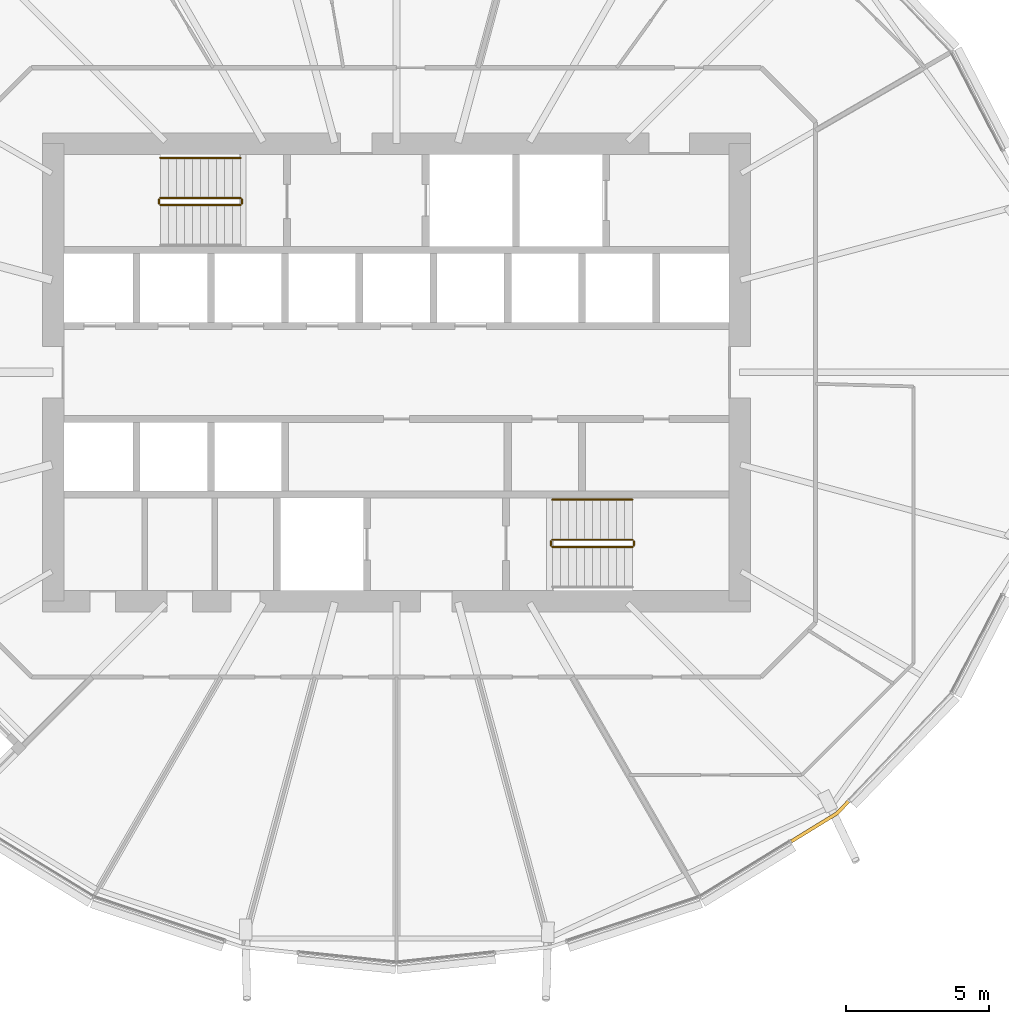
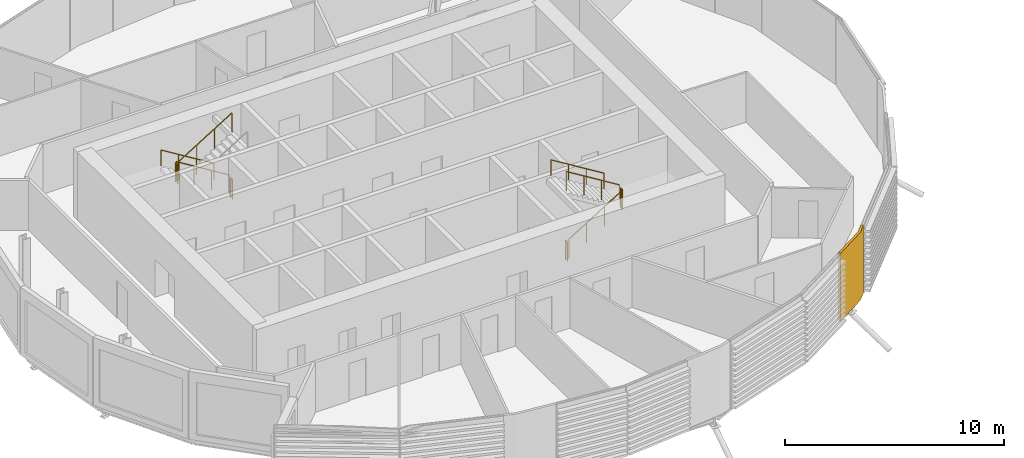
# One storey, part 34 of 38: 10 railings, 1 covering.
"""IFC4 building model written with IfcOpenShell, lengths in metres."""

from ifc_helpers import new_model, si_unit, direction, frame, origin, origin_2d, place, context, subcontext, project, spatial, polyline, circle, outline, extrude, material, layer, layer_set, type_object, element, save


model = new_model("IFC4")

# Units and contexts
model_context = context("Model", 3, precision=1e-05, world=origin(), true_north=direction((0.0, 1.0)))
body_context = subcontext(model_context, "Body", "Model", "MODEL_VIEW")
ifc_project = project(units=[si_unit("LENGTHUNIT", "METRE"), si_unit("AREAUNIT", "SQUARE_METRE"), si_unit("VOLUMEUNIT", "CUBIC_METRE"), si_unit("PLANEANGLEUNIT", "RADIAN"), si_unit("MASSUNIT", "GRAM", prefix="KILO")], contexts=[model_context])

# Site, building, storey
site_placement = place(None, origin())
site = spatial("IfcSite", under=ifc_project, at=site_placement, CompositionType="ELEMENT")
building_placement = place(site_placement, origin())
building = spatial("IfcBuilding", under=site, at=building_placement, Name="Rimbun Link Towers", CompositionType="ELEMENT")
storey_placement = place(building_placement, frame((0.0, 0.0, 119.60009765625)))
storey = spatial("IfcBuildingStorey", under=building, at=storey_placement, Name="L29", CompositionType="ELEMENT", Elevation=119.60009765625)

# Covering
ifc_material_1 = material(Name="Terracotta", Category="masonry")
ifc_layer = layer(ifc_material_1, 0.1201171875)
ifc_layer_set = layer_set([ifc_layer], Name="LINK PIER terracotta cladding 120")
covering_type = type_object("IfcCoveringType", Name="LINK PIER terracotta cladding 120", PredefinedType="CLADDING", material=ifc_layer_set)
covering_placement = place(storey_placement, origin())
element("IfcCovering", 1, at=covering_placement, inside=storey, type_object=covering_type, Name="LINK PIER cladding", PredefinedType="CLADDING", context=body_context, shape_type="SweptSolid", body=[
    extrude(outline(polyline([(-15.989990234375, -14.9541015625), (-16.384521484375, -15.365478515625), (-17.97802734375, -16.343994140625), (-17.915283203125, -16.4462890625), (-16.308349609375, -15.459716796875), (-15.9033203125, -15.037109375), (-15.989990234375, -14.9541015625)])), origin(), (0.0, 0.0, 1.0), 3.7998046875),
])

# Railings
ifc_material_2 = material(Name="Stainless steel grade 316", Category="steel")
railing_type_1 = type_object("IfcRailingType", Name="Stair guard", PredefinedType="GUARDRAIL", material=ifc_material_2)
railing_1_placement = place(storey_placement, frame((-37.199951171875, 6.10009765625, 0.172607421875)))
element("IfcRailing", 2, at=railing_1_placement, inside=storey, type_object=railing_type_1, Name="L29 ST1 stair guard 1", PredefinedType="GUARDRAIL", context=body_context, shape_type="SweptSolid", body=[
    extrude(circle(Radius=0.02392578125, at=origin_2d()), frame((0.0, 0.0, 1.076171875), z_axis=(-0.851089632645, 0.0, 0.525020415988), x_axis=(0.0, -1.0, 0.0)), (0.0, 0.0, 1.0), 3.2900390625),
    extrude(circle(Radius=0.02099609375, at=origin_2d()), origin(), (0.0, 0.0, 1.0), 1.052001953125),
    extrude(circle(Radius=0.02099609375, at=origin_2d()), frame((-0.933349609375, 0.0, 0.57568359375)), (0.0, 0.0, 1.0), 1.052001953125),
    extrude(circle(Radius=0.02099609375, at=origin_2d()), frame((-1.86669921875, 0.0, 1.151611328125)), (0.0, 0.0, 1.0), 1.052001953125),
    extrude(circle(Radius=0.02099609375, at=origin_2d()), frame((-2.800048828125, 0.0, 1.727294921875)), (0.0, 0.0, 1.0), 1.052001953125),
])
railing_2_placement = place(storey_placement, frame((-40.050048828125, 6.050048828125, 1.89990234375)))
element("IfcRailing", 3, at=railing_2_placement, inside=storey, type_object=railing_type_1, Name="L29 ST1 stair guard 2", PredefinedType="GUARDRAIL", context=body_context, shape_type="SweptSolid", body=[
    extrude(circle(Radius=0.02392578125, at=origin_2d()), frame((0.0, 0.0, 1.076171875), z_axis=(0.0, -1.0, 0.0), x_axis=(1.0, 0.0, 0.0)), (0.0, 0.0, 1.0), 0.150146484375),
    extrude(circle(Radius=0.02099609375, at=origin_2d()), origin(), (0.0, 0.0, 1.0), 1.052001953125),
    extrude(circle(Radius=0.02099609375, at=origin_2d()), frame((0.0, -0.150146484375, 0.0)), (0.0, 0.0, 1.0), 1.052001953125),
])
railing_3_placement = place(storey_placement, frame((-40.0, 5.85009765625, 2.072509765625)))
element("IfcRailing", 4, at=railing_3_placement, inside=storey, type_object=railing_type_1, Name="L29 ST1 stair guard 3", PredefinedType="GUARDRAIL", context=body_context, shape_type="SweptSolid", body=[
    extrude(circle(Radius=0.02392578125, at=origin_2d()), frame((0.0, 0.0, 1.076171875), z_axis=(0.851089632645, 0.0, 0.525020415988), x_axis=(0.0, 1.0, 0.0)), (0.0, 0.0, 1.0), 3.2900390625),
    extrude(circle(Radius=0.02099609375, at=origin_2d()), origin(), (0.0, 0.0, 1.0), 1.052001953125),
    extrude(circle(Radius=0.02099609375, at=origin_2d()), frame((0.933349609375, 0.0, 0.57568359375)), (0.0, 0.0, 1.0), 1.052001953125),
    extrude(circle(Radius=0.02099609375, at=origin_2d()), frame((1.86669921875, 0.0, 1.151611328125)), (0.0, 0.0, 1.0), 1.052001953125),
    extrude(circle(Radius=0.02099609375, at=origin_2d()), frame((2.800048828125, 0.0, 1.727294921875)), (0.0, 0.0, 1.0), 1.052001953125),
])
railing_4_placement = place(storey_placement, frame((-37.14990234375, 6.050048828125, 0.0)))
element("IfcRailing", 5, at=railing_4_placement, inside=storey, type_object=railing_type_1, Name="L29 ST1 stair guard 4", PredefinedType="GUARDRAIL", context=body_context, shape_type="SweptSolid", body=[
    extrude(circle(Radius=0.02392578125, at=origin_2d()), frame((0.0, 0.0, 1.076171875), z_axis=(0.0, -1.0, 0.0), x_axis=(1.0, 0.0, 0.0)), (0.0, 0.0, 1.0), 0.150146484375),
    extrude(circle(Radius=0.02099609375, at=origin_2d()), origin(), (0.0, 0.0, 1.0), 1.052001953125),
    extrude(circle(Radius=0.02099609375, at=origin_2d()), frame((0.0, -0.150146484375, 0.0)), (0.0, 0.0, 1.0), 1.052001953125),
])
railing_5_placement = place(storey_placement, frame((-26.300048828125, -6.10009765625, 0.172607421875)))
element("IfcRailing", 6, at=railing_5_placement, inside=storey, type_object=railing_type_1, Name="L29 ST2 stair guard 1", PredefinedType="GUARDRAIL", context=body_context, shape_type="SweptSolid", body=[
    extrude(circle(Radius=0.02392578125, at=origin_2d()), frame((0.0, 0.0, 1.076171875), z_axis=(0.851089632645, 0.0, 0.525020415988), x_axis=(0.0, 1.0, 0.0)), (0.0, 0.0, 1.0), 3.2900390625),
    extrude(circle(Radius=0.02099609375, at=origin_2d()), origin(), (0.0, 0.0, 1.0), 1.052001953125),
    extrude(circle(Radius=0.02099609375, at=origin_2d()), frame((0.933349609375, 0.0, 0.57568359375)), (0.0, 0.0, 1.0), 1.052001953125),
    extrude(circle(Radius=0.02099609375, at=origin_2d()), frame((1.86669921875, 0.0, 1.151611328125)), (0.0, 0.0, 1.0), 1.052001953125),
    extrude(circle(Radius=0.02099609375, at=origin_2d()), frame((2.800048828125, 0.0, 1.727294921875)), (0.0, 0.0, 1.0), 1.052001953125),
])
railing_6_placement = place(storey_placement, frame((-23.449951171875, -6.050048828125, 1.89990234375)))
element("IfcRailing", 7, at=railing_6_placement, inside=storey, type_object=railing_type_1, Name="L29 ST2 stair guard 2", PredefinedType="GUARDRAIL", context=body_context, shape_type="SweptSolid", body=[
    extrude(circle(Radius=0.02392578125, at=origin_2d()), frame((0.0, 0.0, 1.076171875), z_axis=(0.0, 1.0, 0.0), x_axis=(-1.0, 0.0, 0.0)), (0.0, 0.0, 1.0), 0.150146484375),
    extrude(circle(Radius=0.02099609375, at=origin_2d()), origin(), (0.0, 0.0, 1.0), 1.052001953125),
    extrude(circle(Radius=0.02099609375, at=origin_2d()), frame((0.0, 0.150146484375, 0.0)), (0.0, 0.0, 1.0), 1.052001953125),
])
railing_7_placement = place(storey_placement, frame((-23.5, -5.85009765625, 2.072509765625)))
element("IfcRailing", 8, at=railing_7_placement, inside=storey, type_object=railing_type_1, Name="L29 ST2 stair guard 3", PredefinedType="GUARDRAIL", context=body_context, shape_type="SweptSolid", body=[
    extrude(circle(Radius=0.02392578125, at=origin_2d()), frame((0.0, 0.0, 1.076171875), z_axis=(-0.851089632645, 0.0, 0.525020415988), x_axis=(0.0, -1.0, 0.0)), (0.0, 0.0, 1.0), 3.2900390625),
    extrude(circle(Radius=0.02099609375, at=origin_2d()), origin(), (0.0, 0.0, 1.0), 1.052001953125),
    extrude(circle(Radius=0.02099609375, at=origin_2d()), frame((-0.933349609375, 0.0, 0.57568359375)), (0.0, 0.0, 1.0), 1.052001953125),
    extrude(circle(Radius=0.02099609375, at=origin_2d()), frame((-1.86669921875, 0.0, 1.151611328125)), (0.0, 0.0, 1.0), 1.052001953125),
    extrude(circle(Radius=0.02099609375, at=origin_2d()), frame((-2.800048828125, 0.0, 1.727294921875)), (0.0, 0.0, 1.0), 1.052001953125),
])
railing_8_placement = place(storey_placement, frame((-26.35009765625, -6.050048828125, 0.0)))
element("IfcRailing", 9, at=railing_8_placement, inside=storey, type_object=railing_type_1, Name="L29 ST2 stair guard 4", PredefinedType="GUARDRAIL", context=body_context, shape_type="SweptSolid", body=[
    extrude(circle(Radius=0.02392578125, at=origin_2d()), frame((0.0, 0.0, 1.076171875), z_axis=(0.0, 1.0, 0.0), x_axis=(-1.0, 0.0, 0.0)), (0.0, 0.0, 1.0), 0.150146484375),
    extrude(circle(Radius=0.02099609375, at=origin_2d()), origin(), (0.0, 0.0, 1.0), 1.052001953125),
    extrude(circle(Radius=0.02099609375, at=origin_2d()), frame((0.0, 0.150146484375, 0.0)), (0.0, 0.0, 1.0), 1.052001953125),
])
ifc_material_3 = material(Name="Stainless steel grade 316", Category="steel")
railing_type_2 = type_object("IfcRailingType", Name="Stair handrail", PredefinedType="HANDRAIL", material=ifc_material_3)
for number, where, name in (
    (10, (-37.199951171875, 7.5, 0.172607421875), "L29 ST1 stair handrail 1"),
    (11, (-23.5, -4.449951171875, 2.072509765625), "L29 ST2 stair handrail 2"),
):
    element("IfcRailing", number, at=place(storey_placement, frame(where)), inside=storey, type_object=railing_type_2, Name=name, PredefinedType="HANDRAIL", context=body_context, shape_type="SweptSolid", body=[
        extrude(circle(Radius=0.02392578125, at=origin_2d()), frame((0.0, 0.0, 0.8759765625), z_axis=(-0.851089632645, 0.0, 0.525020415988), x_axis=(0.0, -1.0, 0.0)), (0.0, 0.0, 1.0), 3.2900390625),
        extrude(circle(Radius=0.02099609375, at=origin_2d()), origin(), (0.0, 0.0, 1.0), 0.851806640625),
        extrude(circle(Radius=0.02099609375, at=origin_2d()), frame((-0.933349609375, 0.0, 0.57568359375)), (0.0, 0.0, 1.0), 0.851806640625),
        extrude(circle(Radius=0.02099609375, at=origin_2d()), frame((-1.86669921875, 0.0, 1.151611328125)), (0.0, 0.0, 1.0), 0.851806640625),
        extrude(circle(Radius=0.02099609375, at=origin_2d()), frame((-2.800048828125, 0.0, 1.727294921875)), (0.0, 0.0, 1.0), 0.851806640625),
    ])

save(model, "model.ifc")
